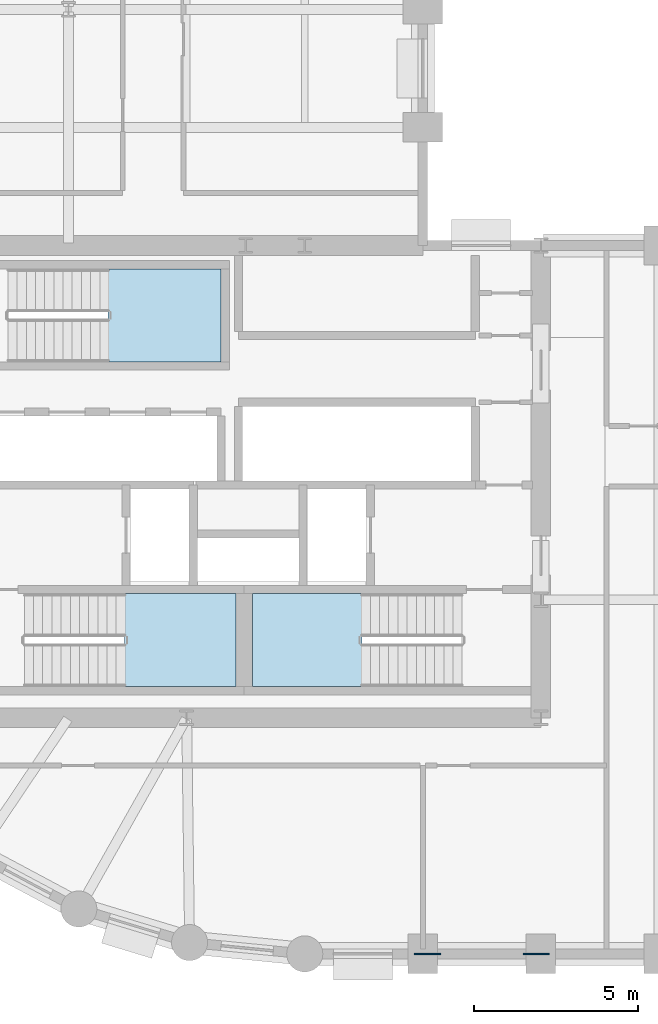
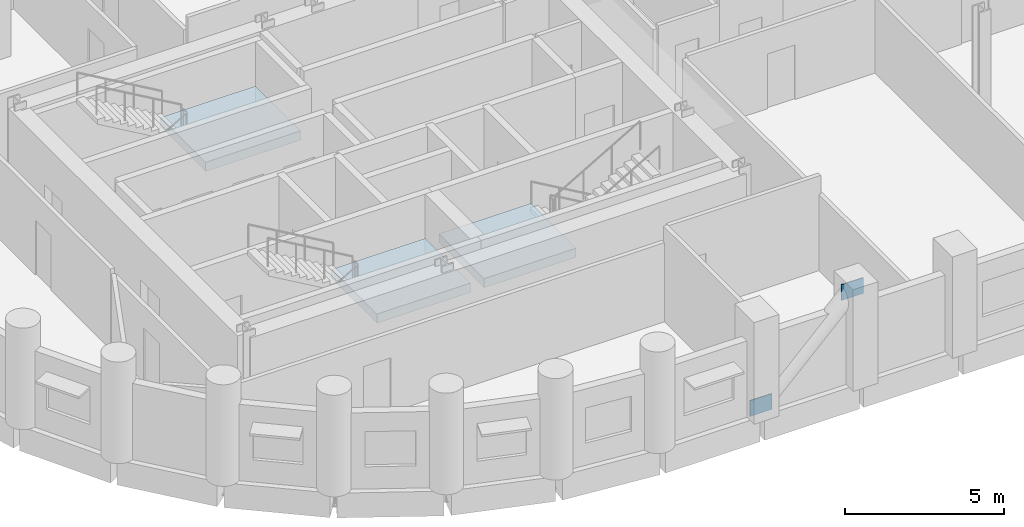
# One storey, part 3 of 11: 3 slabs, 2 plates, 3 elements without a shape of their own.
"""IFC4 building model written with IfcOpenShell, lengths in metres."""

import ifcopenshell
import ifcopenshell.guid

model = None  # the IFC model being written
_history = None  # IfcOwnerHistory: only IFC2X3 demands one
_inside = {}  # id of a spatial element -> (the spatial element, [elements in it])
_under = {}  # id of a project, library or spatial element -> (it, [spatial elements below it])
_declared = {}  # id of a project -> (the project, [libraries it declares])
_typed = {}  # id of a type object -> (the type object, [elements of that type])
_made_of = {}  # id of a material, layer set ... -> (it, [elements and type objects made of it])


def new_model(schema):
    """Start an empty IFC model of exactly this schema.

    Asked for "IFC4X3", IfcOpenShell would pick the latest addendum, in which some entities
    have other attributes; the version numbers below select the first issue.
    IFC2X3 requires an IfcOwnerHistory on every rooted entity: one is made here for all.
    """
    global model, _history
    if schema == "IFC4X3":
        model = ifcopenshell.file(schema_version=(4, 3, 0, 0))
    else:
        model = ifcopenshell.file(schema=schema)
    _inside.clear()
    _under.clear()
    _declared.clear()
    _typed.clear()
    _made_of.clear()
    _history = None
    if model.schema == "IFC2X3":
        org = make("IfcOrganization", Name="unknown")
        user = make(
            "IfcPersonAndOrganization",
            ThePerson=make("IfcPerson", FamilyName="unknown"),
            TheOrganization=org,
        )
        app = make(
            "IfcApplication",
            ApplicationDeveloper=org,
            Version="unknown",
            ApplicationFullName="unknown",
            ApplicationIdentifier="unknown",
        )
        _history = make(
            "IfcOwnerHistory",
            OwningUser=user,
            OwningApplication=app,
            ChangeAction="ADDED",
            CreationDate=0,
        )
    return model


def make(cls, **values):
    """One entity of the class cls with the attributes given. An attribute that is None is left unset."""
    return model.create_entity(
        cls, **{name: value for name, value in values.items() if value is not None}
    )


def rooted(cls, **values):
    """An entity with a GlobalId (a new one), such as an element, a storey or a relation."""
    return make(cls, GlobalId=ifcopenshell.guid.new(), OwnerHistory=_history, **values)


def si_unit(unit_type, name, prefix=None):
    """IfcSIUnit, for example si_unit("LENGTHUNIT", "METRE", prefix="MILLI")."""
    return make("IfcSIUnit", UnitType=unit_type, Prefix=prefix, Name=name)


def assignment(units):
    """IfcUnitAssignment: the units of a project."""
    return None if units is None else make("IfcUnitAssignment", Units=units)


def point(xyz):
    """IfcCartesianPoint."""
    return None if xyz is None else make("IfcCartesianPoint", Coordinates=xyz)


def direction(xyz):
    """IfcDirection."""
    return None if xyz is None else make("IfcDirection", DirectionRatios=xyz)


def frame(location, z_axis=None, x_axis=None):
    """IfcAxis2Placement3D, a coordinate frame: its origin and axes. An axis left out is left unset."""
    return make(
        "IfcAxis2Placement3D",
        Location=point(location),
        Axis=direction(z_axis),
        RefDirection=direction(x_axis),
    )


def frame_2d(location, x_axis=None):
    """IfcAxis2Placement2D, a coordinate frame in the plane: its origin and x axis."""
    return make(
        "IfcAxis2Placement2D", Location=point(location), RefDirection=direction(x_axis)
    )


def origin():
    """The frame at (0, 0, 0) with its axes left unset."""
    return frame((0.0, 0.0, 0.0))


def origin_2d():
    """The frame at (0, 0) in the plane with its x axis left unset."""
    return frame_2d((0.0, 0.0))


def place(relative_to, where):
    """IfcLocalPlacement: puts the frame where relative to a parent placement (None: the world)."""
    return make(
        "IfcLocalPlacement", PlacementRelTo=relative_to, RelativePlacement=where
    )


def context(
    kind, dimensions, precision=None, world=None, true_north=None, identifier=None
):
    """IfcGeometricRepresentationContext, for example the 3D "Model" context."""
    return make(
        "IfcGeometricRepresentationContext",
        ContextIdentifier=identifier,
        ContextType=kind,
        CoordinateSpaceDimension=dimensions,
        Precision=precision,
        WorldCoordinateSystem=world,
        TrueNorth=true_north,
    )


def subcontext(parent, identifier, kind, view, scale=None):
    """IfcGeometricRepresentationSubContext, for example "Body" below "Model"."""
    return make(
        "IfcGeometricRepresentationSubContext",
        ContextIdentifier=identifier,
        ContextType=kind,
        ParentContext=parent,
        TargetScale=scale,
        TargetView=view,
    )


def project(units=None, contexts=None):
    """IfcProject with its units and contexts."""
    return rooted(
        "IfcProject",
        Name="project",
        RepresentationContexts=contexts,
        UnitsInContext=assignment(units),
    )


def spatial(cls, under=None, at=None, **own):
    """A site, building, storey or space (cls), placed at a placement, below another one or the project."""
    s = rooted(cls, ObjectPlacement=at, **own)
    if under is not None:
        _under.setdefault(under.id(), (under, []))[1].append(s)
    return s


def polyline(points):
    """IfcPolyline through the points."""
    return make("IfcPolyline", Points=[point(p) for p in points])


def profile(cls, at=None, kind="AREA", **sizes):
    """A parametric profile (cls). Its sizes go by their IFC names, for example OverallWidth=200.0."""
    return make(cls, ProfileType=kind, Position=at, **sizes)


def rectangle(**sizes):
    """IfcRectangleProfileDef."""
    return profile("IfcRectangleProfileDef", **sizes)


def outline(outer, holes=None, kind="AREA"):
    """IfcArbitraryClosedProfileDef: a profile drawn as a closed curve; with holes, ...WithVoids."""
    if holes is None:
        return make("IfcArbitraryClosedProfileDef", ProfileType=kind, OuterCurve=outer)
    return make(
        "IfcArbitraryProfileDefWithVoids",
        ProfileType=kind,
        OuterCurve=outer,
        InnerCurves=holes,
    )


def extrude(swept, where, along, depth):
    """IfcExtrudedAreaSolid: the profile swept, set in the frame where, extruded along a direction by depth."""
    return make(
        "IfcExtrudedAreaSolid",
        SweptArea=swept,
        Position=where,
        ExtrudedDirection=direction(along),
        Depth=depth,
    )


def shape(context_of_items, identifier, shape_type, items):
    """IfcShapeRepresentation: the items that make up one representation, for example the "Body"."""
    return make(
        "IfcShapeRepresentation",
        ContextOfItems=context_of_items,
        RepresentationIdentifier=identifier,
        RepresentationType=shape_type,
        Items=items,
    )


def material(Name=None, Category=None):
    """IfcMaterial."""
    return make("IfcMaterial", Name=Name, Category=Category)


def layer(
    of_material, thickness, ventilated=None, Name=None, Category=None, Priority=None
):
    """IfcMaterialLayer: one layer of a wall or slab, of a material (None: an air gap)."""
    return make(
        "IfcMaterialLayer",
        Material=of_material,
        LayerThickness=thickness,
        IsVentilated=ventilated,
        Name=Name,
        Category=Category,
        Priority=Priority,
    )


def layer_set(layers, Name=None):
    """IfcMaterialLayerSet."""
    return make("IfcMaterialLayerSet", MaterialLayers=layers, LayerSetName=Name)


def made_of(thing, what):
    """Note that an element or type object is made of a material, layer set ...; save() writes the relation."""
    if what is not None:
        _made_of.setdefault(what.id(), (what, []))[1].append(thing)
    return thing


def type_object(cls, material=None, **own):
    """A type object (cls), such as IfcWallType, which elements share."""
    return made_of(rooted(cls, **own), material)


def element(
    cls,
    number,
    at=None,
    inside=None,
    cuts=None,
    type_object=None,
    material=None,
    context=None,
    identifier="Body",
    shape_type=None,
    held_by="IfcProductDefinitionShape",
    body=None,
    shapes=None,
    **own,
):
    """One element of the class cls, such as IfcWall. Its Tag is "e" and its number.

    at: its placement. inside: the storey or other place that contains it. cuts: it is an
    opening in that element (IfcRelVoidsElement). A single representation is given by context,
    identifier, shape_type and body (its items); several are given by shapes. held_by: the class
    of the entity that holds the representations. save() writes the other relations.
    """
    e = rooted(cls, Tag="e%d" % number, ObjectPlacement=at, **own)
    if body is not None:
        shapes = [shape(context, identifier, shape_type, body)]
    if shapes is not None:
        e.Representation = make(held_by, Representations=shapes)
    if inside is not None:
        _inside.setdefault(inside.id(), (inside, []))[1].append(e)
    if cuts is not None:
        rooted(
            "IfcRelVoidsElement", RelatingBuildingElement=cuts, RelatedOpeningElement=e
        )
    if type_object is not None:
        _typed.setdefault(type_object.id(), (type_object, []))[1].append(e)
    return made_of(e, material)


def aggregate(whole, parts):
    """IfcRelAggregates: a whole, such as a stair, and the parts it consists of."""
    return rooted("IfcRelAggregates", RelatingObject=whole, RelatedObjects=parts)


def save(model, path):
    """Write the relations noted so far, then the file.

    IfcRelAggregates (storeys below a building ...), IfcRelContainedInSpatialStructure (elements
    in a storey), IfcRelDefinesByType, IfcRelAssociatesMaterial and IfcRelDeclares: one each for
    every whole, place, type object, material and project.
    """
    for whole, parts in _under.values():
        aggregate(whole, parts)
    for where, things in _inside.values():
        rooted(
            "IfcRelContainedInSpatialStructure",
            RelatedElements=things,
            RelatingStructure=where,
        )
    for kind, things in _typed.values():
        rooted("IfcRelDefinesByType", RelatedObjects=things, RelatingType=kind)
    for what, things in _made_of.values():
        rooted("IfcRelAssociatesMaterial", RelatedObjects=things, RelatingMaterial=what)
    for by, libraries in _declared.values():
        rooted("IfcRelDeclares", RelatingContext=by, RelatedDefinitions=libraries)
    model.write(path)


model = new_model("IFC4")

# Units and contexts
model_context = context("Model", 3, precision=1e-05, world=origin(), true_north=direction((0.0, 1.0)))
body_context = subcontext(model_context, "Body", "Model", "MODEL_VIEW")
ifc_project = project(units=[si_unit("LENGTHUNIT", "METRE"), si_unit("AREAUNIT", "SQUARE_METRE"), si_unit("VOLUMEUNIT", "CUBIC_METRE"), si_unit("PLANEANGLEUNIT", "RADIAN"), si_unit("MASSUNIT", "GRAM", prefix="KILO")], contexts=[model_context])

# Site, building, storey
site_placement = place(None, origin())
site = spatial("IfcSite", under=ifc_project, at=site_placement, CompositionType="ELEMENT")
building_placement = place(site_placement, origin())
building = spatial("IfcBuilding", under=site, at=building_placement, Name="Solnavia Interchange Tower", CompositionType="ELEMENT")
storey_placement = place(building_placement, frame((0.0, 0.0, 55.199951171875)))
storey = spatial("IfcBuildingStorey", under=building, at=storey_placement, Name="L13", CompositionType="ELEMENT", Elevation=55.199951171875)

# Plates
ifc_material_1 = material(Name="Steel S460", Category="steel")
ifc_layer_1 = layer(ifc_material_1, 0.035888671875)
ifc_layer_set_1 = layer_set([ifc_layer_1], Name="Steel S460")
plate_type = type_object("IfcPlateType", Name="Plate-Gusset-800x600x36", PredefinedType="USERDEFINED", material=ifc_layer_set_1)
for number, where, z_axis, x_axis, name in (
    (1, (28.93994140625, 3.60009765625, -0.1201171875), (0.0, 0.0, 1.0), (1.0, 0.0, 0.0), "PLT-L13-GP01 Perimeter brace gusset plate"),
    (2, (32.260009765625, 3.60009765625, 3.169921875), (0.0, 0.0, 1.0), (1.0, 0.0, 0.0), "PLT-L13-GP02 Perimeter brace gusset plate"),
):
    element("IfcPlate", number, at=place(storey_placement, frame(where, z_axis=z_axis, x_axis=x_axis)), inside=storey, type_object=plate_type, Name=name, ObjectType="GUSSET PLATE", PredefinedType="USERDEFINED", context=body_context, shape_type="SweptSolid", body=[
        extrude(rectangle(XDim=0.800048828125, YDim=0.035888671875, at=origin_2d()), origin(), (0.0, 0.0, 1.0), 0.60009765625),
    ])

# Stair, slab
ifc_material_2 = material(Name="Concrete C40/50", Category="concrete")
stair_type = type_object("IfcStairType", Name="Stair-Dogleg-RC", PredefinedType="HALF_TURN_STAIR", material=ifc_material_2)
stair_1_placement = place(storey_placement, origin())
stair_1 = element("IfcStair", 3, at=stair_1_placement, inside=storey, type_object=stair_type, Name="L13 Core exit stair 1", PredefinedType="HALF_TURN_STAIR")
ifc_layer_2 = layer(ifc_material_2, 0.35009765625)
ifc_layer_set_2 = layer_set([ifc_layer_2], Name="Concrete C40/50")
slab_type = type_object("IfcSlabType", Name="Slab-StairLanding-350", PredefinedType="LANDING", material=ifc_layer_set_2)
slab_1_placement = place(storey_placement, frame((0.0, 0.0, 1.60009765625)))
slab_1 = element("IfcSlab", 4, at=slab_1_placement, type_object=slab_type, Name="ST-1 landing 1", PredefinedType="LANDING", context=body_context, shape_type="SweptSolid", body=[
    extrude(outline(polyline([(19.7080078125, 11.75), (23.10009765625, 11.75), (23.10009765625, 14.590087890625), (19.7080078125, 14.590087890625), (19.7080078125, 11.75)])), origin(), (0.0, 0.0, 1.0), 0.349853515625),
])
aggregate(stair_1, [slab_1])

stair_2_placement = place(storey_placement, origin())
stair_2 = element("IfcStair", 5, at=stair_2_placement, inside=storey, type_object=stair_type, Name="L13 Core exit stair 2", PredefinedType="HALF_TURN_STAIR")
slab_2_placement = place(storey_placement, frame((0.0, 0.0, 1.60009765625)))
slab_2 = element("IfcSlab", 6, at=slab_2_placement, type_object=slab_type, Name="ST-2 landing 1", PredefinedType="LANDING", context=body_context, shape_type="SweptSolid", body=[
    extrude(outline(polyline([(23.60009765625, 11.75), (26.94189453125, 11.75), (26.94189453125, 14.590087890625), (23.60009765625, 14.590087890625), (23.60009765625, 11.75)])), origin(), (0.0, 0.0, 1.0), 0.349853515625),
])
aggregate(stair_2, [slab_2])

stair_3_placement = place(storey_placement, origin())
stair_3 = element("IfcStair", 7, at=stair_3_placement, inside=storey, type_object=stair_type, Name="L13 Core exit stair 3", PredefinedType="HALF_TURN_STAIR")
slab_3_placement = place(storey_placement, frame((0.0, 0.0, 1.60009765625)))
slab_3 = element("IfcSlab", 8, at=slab_3_placement, type_object=slab_type, Name="ST-3 landing 1", PredefinedType="LANDING", context=body_context, shape_type="SweptSolid", body=[
    extrude(outline(polyline([(19.2080078125, 21.64990234375), (22.64990234375, 21.64990234375), (22.64990234375, 24.489990234375), (19.2080078125, 24.489990234375), (19.2080078125, 21.64990234375)])), origin(), (0.0, 0.0, 1.0), 0.349853515625),
])
aggregate(stair_3, [slab_3])

save(model, "model.ifc")
